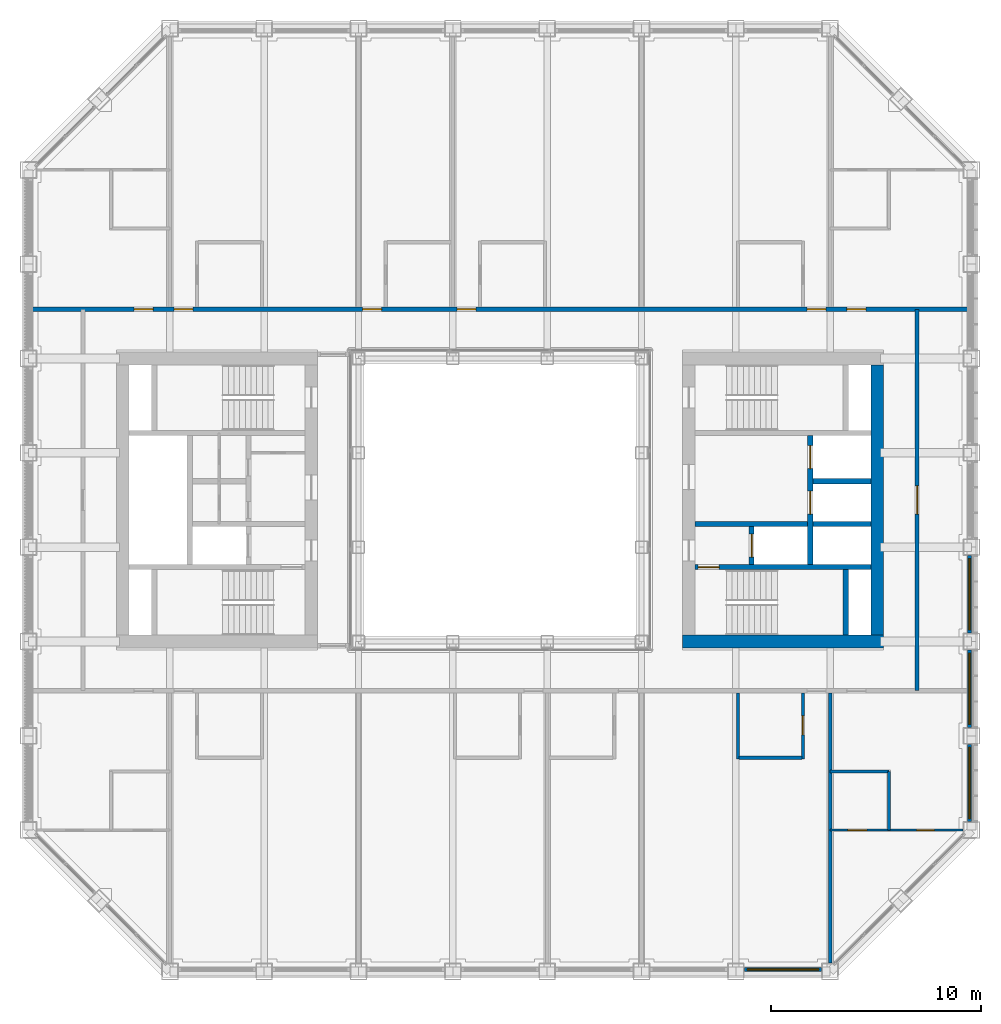
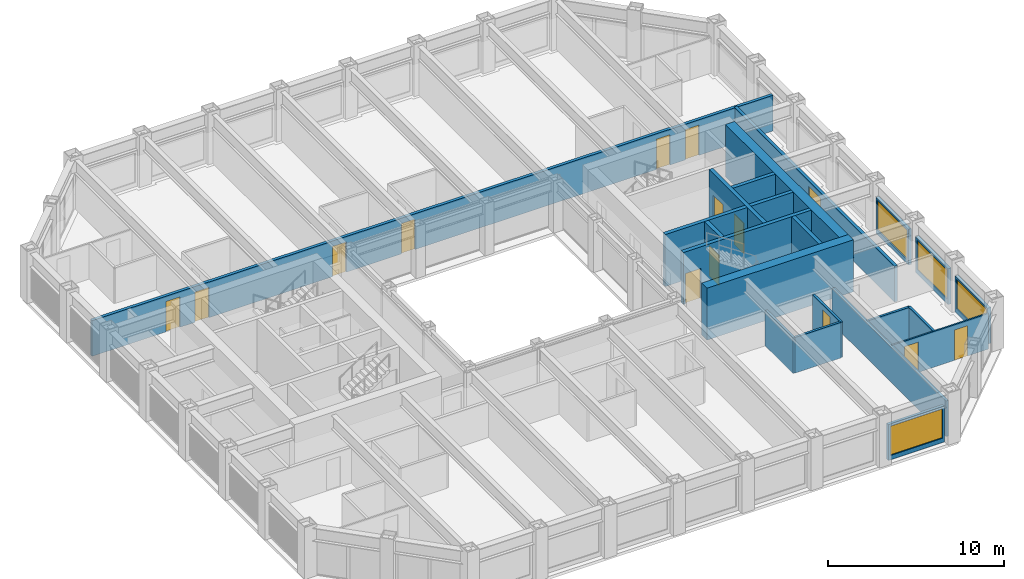
# One storey, part 12 of 17: 22 walls, 14 doors, 4 windows, 18 openings.
"""IFC4 building model written with IfcOpenShell, lengths in metres."""

from ifc_helpers import new_model, si_unit, direction, frame, frame_2d, origin, place, context, subcontext, project, spatial, rectangle, extrude, material, layer, layer_set, type_object, element, fill, save


model = new_model("IFC4")

# Units and contexts
model_context = context("Model", 3, precision=1e-05, world=origin(), true_north=direction((0.0, 1.0)))
body_context = subcontext(model_context, "Body", "Model", "MODEL_VIEW")
ifc_project = project(units=[si_unit("LENGTHUNIT", "METRE"), si_unit("AREAUNIT", "SQUARE_METRE"), si_unit("VOLUMEUNIT", "CUBIC_METRE"), si_unit("PLANEANGLEUNIT", "RADIAN"), si_unit("MASSUNIT", "GRAM", prefix="KILO")], contexts=[model_context])

# Site, building, storey
site_placement = place(None, origin())
site = spatial("IfcSite", under=ifc_project, at=site_placement, CompositionType="ELEMENT")
building_placement = place(site_placement, origin())
building = spatial("IfcBuilding", under=site, at=building_placement, Name="Msasa Ring Tower", CompositionType="ELEMENT")
storey_placement = place(building_placement, frame((0.0, 0.0, 168.800048828125)))
storey = spatial("IfcBuildingStorey", under=building, at=storey_placement, Name="L44", CompositionType="ELEMENT", Elevation=168.800048828125)

# Walls
ifc_material_1 = material(Name="Concrete C60/75", Category="concrete")
ifc_layer_1 = layer(ifc_material_1, 0.60009765625)
ifc_layer_set_1 = layer_set([ifc_layer_1], Name="CW2 CORE WALL 600")
wall_type_1 = type_object("IfcWallType", Name="CW2 CORE WALL 600", PredefinedType="SHEAR", material=ifc_layer_set_1)
wall_1_placement = place(storey_placement, frame((8.699951171875, -6.75, 0.0), z_axis=(0.0, 0.0, 1.0), x_axis=(1.0, 0.0, 0.0)))
element("IfcWall", 1, at=wall_1_placement, inside=storey, type_object=wall_type_1, Name="E core wall S L44", PredefinedType="SHEAR", context=body_context, shape_type="SweptSolid", body=[
    extrude(rectangle(XDim=9.60009765625, YDim=0.60009765625, at=frame_2d((4.800048828125, 0.0))), origin(), (0.0, 0.0, 1.0), 3.599853515625),
])
wall_2_placement = place(storey_placement, frame((18.0, -6.449951171875, 0.0), z_axis=(0.0, 0.0, 1.0), x_axis=(0.0, 1.0, 0.0)))
element("IfcWall", 2, at=wall_2_placement, inside=storey, type_object=wall_type_1, Name="E core wall E L44", PredefinedType="SHEAR", context=body_context, shape_type="SweptSolid", body=[
    extrude(rectangle(XDim=12.89990234375, YDim=0.60009765625, at=frame_2d((6.449951171875, 0.0))), origin(), (0.0, 0.0, 1.0), 3.599853515625),
])

# Wall, opening, door
ifc_material_2 = material(Name="Concrete C60/75", Category="concrete")
ifc_layer_2 = layer(ifc_material_2, 0.25)
ifc_layer_set_2 = layer_set([ifc_layer_2], Name="CW4 CORE INNER WALL 250")
wall_type_2 = type_object("IfcWallType", Name="CW4 CORE INNER WALL 250", PredefinedType="SHEAR", material=ifc_layer_set_2)
wall_3_placement = place(storey_placement, frame((9.300048828125, -3.199951171875, 0.0), z_axis=(0.0, 0.0, 1.0), x_axis=(1.0, 0.0, 0.0)))
wall_3 = element("IfcWall", 3, at=wall_3_placement, inside=storey, type_object=wall_type_2, Name="E core wall STAIRA L44", PredefinedType="SHEAR", context=body_context, shape_type="SweptSolid", body=[
    extrude(rectangle(XDim=8.39990234375, YDim=0.25, at=frame_2d((4.199951171875, 0.0))), origin(), (0.0, 0.0, 1.0), 3.599853515625),
])
opening_1_placement = place(wall_3_placement, frame((0.14990234375, 0.0, 0.0)))
opening_1 = element("IfcOpeningElement", 4, at=opening_1_placement, cuts=wall_3, Name="Opening HE-030", PredefinedType="OPENING", context=body_context, shape_type="SweptSolid", body=[
    extrude(rectangle(XDim=1.0, YDim=2.10009765625, at=frame_2d((0.5, 1.050048828125))), frame((0.0, 0.135009765625, 0.0), z_axis=(0.0, -1.0, 0.0), x_axis=(1.0, 0.0, 0.0)), (0.0, 0.0, 1.0), 0.27001953125),
])
ifc_material_3 = material(Name="Timber door leaf in a steel frame", Category="steel")
door_type_1 = type_object("IfcDoorType", Name="D6 STAIR DOOR 1000x2100", OperationType="SINGLE_SWING_LEFT", PredefinedType="DOOR", material=ifc_material_3)
door_1_placement = place(opening_1_placement, origin())
door_1 = element("IfcDoor", 5, at=door_1_placement, inside=storey, type_object=door_type_1, Name="Door L44-ESTA", OperationType="SINGLE_SWING_LEFT", OverallHeight=2.10009765625, OverallWidth=1.0, PredefinedType="DOOR", context=body_context, shape_type="SweptSolid", body=[
    extrude(rectangle(XDim=1.0, YDim=2.10009765625, at=frame_2d((0.5, 1.050048828125))), frame((0.0, 0.02490234375, 0.0), z_axis=(0.0, -1.0, 0.0), x_axis=(1.0, 0.0, 0.0)), (0.0, 0.0, 1.0), 0.050048828125),
])
fill(opening_1, door_1)

# Walls
wall_4_placement = place(storey_placement, frame((16.5, -6.449951171875, 0.0), z_axis=(0.0, 0.0, 1.0), x_axis=(0.0, 1.0, 0.0)))
element("IfcWall", 6, at=wall_4_placement, inside=storey, type_object=wall_type_2, Name="E core wall RISERA L44", PredefinedType="SHEAR", context=body_context, shape_type="SweptSolid", body=[
    extrude(rectangle(XDim=3.125, YDim=0.25, at=frame_2d((1.5625, 0.0))), origin(), (0.0, 0.0, 1.0), 3.599853515625),
])
wall_5_placement = place(storey_placement, frame((9.300048828125, -1.14990234375, 0.0), z_axis=(0.0, 0.0, 1.0), x_axis=(1.0, 0.0, 0.0)))
element("IfcWall", 7, at=wall_5_placement, inside=storey, type_object=wall_type_2, Name="E core wall FFL L44", PredefinedType="SHEAR", context=body_context, shape_type="SweptSolid", body=[
    extrude(rectangle(XDim=5.375, YDim=0.25, at=frame_2d((2.6875, 0.0))), origin(), (0.0, 0.0, 1.0), 3.599853515625),
])

# Wall, opening, door
wall_6_placement = place(storey_placement, frame((12.0, -3.074951171875, 0.0), z_axis=(0.0, 0.0, 1.0), x_axis=(0.0, 1.0, 0.0)))
wall_6 = element("IfcWall", 8, at=wall_6_placement, inside=storey, type_object=wall_type_2, Name="E core wall LOBBY L44", PredefinedType="SHEAR", context=body_context, shape_type="SweptSolid", body=[
    extrude(rectangle(XDim=1.800048828125, YDim=0.25, at=frame_2d((0.89990234375, 0.0))), origin(), (0.0, 0.0, 1.0), 3.599853515625),
])
opening_2_placement = place(wall_6_placement, frame((0.35009765625, 0.0, 0.0)))
opening_2 = element("IfcOpeningElement", 9, at=opening_2_placement, cuts=wall_6, Name="Opening LD1", PredefinedType="OPENING", context=body_context, shape_type="SweptSolid", body=[
    extrude(rectangle(XDim=1.10009765625, YDim=2.10009765625, at=frame_2d((0.550048828125, 1.050048828125))), frame((0.0, 0.135009765625, 0.0), z_axis=(0.0, -1.0, 0.0), x_axis=(1.0, 0.0, 0.0)), (0.0, 0.0, 1.0), 0.27001953125),
])
ifc_material_4 = material(Name="Stainless steel lift landing door", Category="steel")
door_type_2 = type_object("IfcDoorType", Name="LD1 LIFT LANDING DOOR 1100x2100", OperationType="DOUBLE_DOOR_SLIDING", PredefinedType="DOOR", material=ifc_material_4)
door_2_placement = place(opening_2_placement, origin())
door_2 = element("IfcDoor", 10, at=door_2_placement, inside=storey, type_object=door_type_2, Name="Lift landing door FL-E L44", OperationType="DOUBLE_DOOR_SLIDING", OverallHeight=2.10009765625, OverallWidth=1.10009765625, PredefinedType="DOOR", context=body_context, shape_type="SweptSolid", body=[
    extrude(rectangle(XDim=1.10009765625, YDim=2.10009765625, at=frame_2d((0.550048828125, 1.050048828125))), frame((0.0, 0.02490234375, 0.0), z_axis=(0.0, -1.0, 0.0), x_axis=(1.0, 0.0, 0.0)), (0.0, 0.0, 1.0), 0.050048828125),
])
fill(opening_2, door_2)

# Wall, openings, doors
wall_7_placement = place(storey_placement, frame((14.800048828125, -3.074951171875, 0.0), z_axis=(0.0, 0.0, 1.0), x_axis=(0.0, 1.0, 0.0)))
wall_7 = element("IfcWall", 11, at=wall_7_placement, inside=storey, type_object=wall_type_2, Name="E core wall SHAFT L44", PredefinedType="SHEAR", context=body_context, shape_type="SweptSolid", body=[
    extrude(rectangle(XDim=6.14990234375, YDim=0.25, at=frame_2d((3.074951171875, 0.0))), origin(), (0.0, 0.0, 1.0), 3.599853515625),
])
opening_3_placement = place(wall_7_placement, frame((2.39990234375, 0.0, 0.0)))
opening_3 = element("IfcOpeningElement", 12, at=opening_3_placement, cuts=wall_7, Name="Opening LD1", PredefinedType="OPENING", context=body_context, shape_type="SweptSolid", body=[
    extrude(rectangle(XDim=1.10009765625, YDim=2.10009765625, at=frame_2d((0.550048828125, 1.050048828125))), frame((0.0, 0.135009765625, 0.0), z_axis=(0.0, -1.0, 0.0), x_axis=(1.0, 0.0, 0.0)), (0.0, 0.0, 1.0), 0.27001953125),
])
opening_4_placement = place(wall_7_placement, frame((4.574951171875, 0.0, 0.0)))
opening_4 = element("IfcOpeningElement", 13, at=opening_4_placement, cuts=wall_7, Name="Opening LD1", PredefinedType="OPENING", context=body_context, shape_type="SweptSolid", body=[
    extrude(rectangle(XDim=1.10009765625, YDim=2.10009765625, at=frame_2d((0.550048828125, 1.050048828125))), frame((0.0, 0.135009765625, 0.0), z_axis=(0.0, -1.0, 0.0), x_axis=(1.0, 0.0, 0.0)), (0.0, 0.0, 1.0), 0.27001953125),
])
door_3_placement = place(opening_3_placement, origin())
door_3 = element("IfcDoor", 14, at=door_3_placement, inside=storey, type_object=door_type_2, Name="Lift landing door PL-H1 L44", OperationType="DOUBLE_DOOR_SLIDING", OverallHeight=2.10009765625, OverallWidth=1.10009765625, PredefinedType="DOOR", context=body_context, shape_type="SweptSolid", body=[
    extrude(rectangle(XDim=1.10009765625, YDim=2.10009765625, at=frame_2d((0.550048828125, 1.050048828125))), frame((0.0, 0.02490234375, 0.0), z_axis=(0.0, -1.0, 0.0), x_axis=(1.0, 0.0, 0.0)), (0.0, 0.0, 1.0), 0.050048828125),
])
fill(opening_3, door_3)
door_4_placement = place(opening_4_placement, origin())
door_4 = element("IfcDoor", 15, at=door_4_placement, inside=storey, type_object=door_type_2, Name="Lift landing door PL-H2 L44", OperationType="DOUBLE_DOOR_SLIDING", OverallHeight=2.10009765625, OverallWidth=1.10009765625, PredefinedType="DOOR", context=body_context, shape_type="SweptSolid", body=[
    extrude(rectangle(XDim=1.10009765625, YDim=2.10009765625, at=frame_2d((0.550048828125, 1.050048828125))), frame((0.0, 0.02490234375, 0.0), z_axis=(0.0, -1.0, 0.0), x_axis=(1.0, 0.0, 0.0)), (0.0, 0.0, 1.0), 0.050048828125),
])
fill(opening_4, door_4)

# Walls
for number, where, z_axis, x_axis, name in (
    (16, (14.925048828125, -1.14990234375, 0.0), (0.0, 0.0, 1.0), (1.0, 0.0, 0.0), "E core wall HSEP L44"),
    (17, (14.925048828125, 0.89990234375, 0.0), (0.0, 0.0, 1.0), (1.0, 0.0, 0.0), "E core wall HLIFT L44"),
):
    element("IfcWall", number, at=place(storey_placement, frame(where, z_axis=z_axis, x_axis=x_axis)), inside=storey, type_object=wall_type_2, Name=name, PredefinedType="SHEAR", context=body_context, shape_type="SweptSolid", body=[
        extrude(rectangle(XDim=2.77490234375, YDim=0.25, at=frame_2d((1.387451171875, 0.0))), origin(), (0.0, 0.0, 1.0), 3.599853515625),
    ])

# Wall, opening, window
ifc_material_5 = material(Name="Terracotta rainscreen on blockwork", Category="masonry")
ifc_layer_3 = layer(ifc_material_5, 0.199951171875)
ifc_layer_set_3 = layer_set([ifc_layer_3], Name="FW1 TERRACOTTA-LINED INFILL BAY WALL 200")
wall_type_3 = type_object("IfcWallType", Name="FW1 TERRACOTTA-LINED INFILL BAY WALL 200", PredefinedType="SOLIDWALL", material=ifc_layer_set_3)
wall_8_placement = place(storey_placement, frame((11.655029296875, -22.39990234375, 0.0), z_axis=(0.0, 0.0, 1.0), x_axis=(1.0, 0.0, 0.0)))
wall_8 = element("IfcWall", 18, at=wall_8_placement, inside=storey, type_object=wall_type_3, Name="Infill bay wall S L44 06", PredefinedType="SOLIDWALL", context=body_context, shape_type="SweptSolid", body=[
    extrude(rectangle(XDim=3.68994140625, YDim=0.199951171875, at=frame_2d((1.844970703125, 0.0))), origin(), (0.0, 0.0, 1.0), 2.47900390625),
])
opening_5_placement = place(wall_8_placement, frame((0.14501953125, 0.0, 0.300048828125)))
opening_5 = element("IfcOpeningElement", 19, at=opening_5_placement, cuts=wall_8, Name="Opening WN2", PredefinedType="OPENING", context=body_context, shape_type="SweptSolid", body=[
    extrude(rectangle(XDim=3.39990234375, YDim=2.029052734375, at=frame_2d((1.699951171875, 1.0146484375))), frame((0.0, 0.10986328125, 0.0), z_axis=(0.0, -1.0, 0.0), x_axis=(1.0, 0.0, 0.0)), (0.0, 0.0, 1.0), 0.219970703125),
])
ifc_material_6 = material(Name="Aluminium frame with clear glass", Category="aluminium")
window_type = type_object("IfcWindowType", Name="WN2 GUEST ROOM WINDOW 3400x2029", PartitioningType="SINGLE_PANEL", PredefinedType="WINDOW", material=ifc_material_6)
window_1_placement = place(opening_5_placement, origin())
window_1 = element("IfcWindow", 20, at=window_1_placement, inside=storey, type_object=window_type, Name="Window S L44 06", OverallHeight=2.029052734375, OverallWidth=3.39990234375, PartitioningType="SINGLE_PANEL", PredefinedType="WINDOW", context=body_context, shape_type="SweptSolid", body=[
    extrude(rectangle(XDim=3.39990234375, YDim=2.029052734375, at=frame_2d((1.699951171875, 1.0146484375))), frame((0.0, 0.030029296875, 0.0), z_axis=(0.0, -1.0, 0.0), x_axis=(1.0, 0.0, 0.0)), (0.0, 0.0, 1.0), 0.06005859375),
])
fill(opening_5, window_1)

wall_9_placement = place(storey_placement, frame((22.39990234375, -15.344970703125, 0.0), z_axis=(0.0, 0.0, 1.0), x_axis=(0.0, 1.0, 0.0)))
wall_9 = element("IfcWall", 21, at=wall_9_placement, inside=storey, type_object=wall_type_3, Name="Infill bay wall E L44 09", PredefinedType="SOLIDWALL", context=body_context, shape_type="SweptSolid", body=[
    extrude(rectangle(XDim=3.68994140625, YDim=0.199951171875, at=frame_2d((1.844970703125, 0.0))), origin(), (0.0, 0.0, 1.0), 2.47900390625),
])
opening_6_placement = place(wall_9_placement, frame((0.14501953125, 0.0, 0.300048828125)))
opening_6 = element("IfcOpeningElement", 22, at=opening_6_placement, cuts=wall_9, Name="Opening WN2", PredefinedType="OPENING", context=body_context, shape_type="SweptSolid", body=[
    extrude(rectangle(XDim=3.39990234375, YDim=2.029052734375, at=frame_2d((1.699951171875, 1.0146484375))), frame((0.0, 0.10986328125, 0.0), z_axis=(0.0, -1.0, 0.0), x_axis=(1.0, 0.0, 0.0)), (0.0, 0.0, 1.0), 0.219970703125),
])
window_2_placement = place(opening_6_placement, origin())
window_2 = element("IfcWindow", 23, at=window_2_placement, inside=storey, type_object=window_type, Name="Window E L44 09", OverallHeight=2.029052734375, OverallWidth=3.39990234375, PartitioningType="SINGLE_PANEL", PredefinedType="WINDOW", context=body_context, shape_type="SweptSolid", body=[
    extrude(rectangle(XDim=3.39990234375, YDim=2.029052734375, at=frame_2d((1.699951171875, 1.0146484375))), frame((0.0, 0.030029296875, 0.0), z_axis=(0.0, -1.0, 0.0), x_axis=(1.0, 0.0, 0.0)), (0.0, 0.0, 1.0), 0.06005859375),
])
fill(opening_6, window_2)

wall_10_placement = place(storey_placement, frame((22.39990234375, -10.844970703125, 0.0), z_axis=(0.0, 0.0, 1.0), x_axis=(0.0, 1.0, 0.0)))
wall_10 = element("IfcWall", 24, at=wall_10_placement, inside=storey, type_object=wall_type_3, Name="Infill bay wall E L44 10", PredefinedType="SOLIDWALL", context=body_context, shape_type="SweptSolid", body=[
    extrude(rectangle(XDim=3.68994140625, YDim=0.199951171875, at=frame_2d((1.844970703125, 0.0))), origin(), (0.0, 0.0, 1.0), 2.47900390625),
])
opening_7_placement = place(wall_10_placement, frame((0.14501953125, 0.0, 0.300048828125)))
opening_7 = element("IfcOpeningElement", 25, at=opening_7_placement, cuts=wall_10, Name="Opening WN2", PredefinedType="OPENING", context=body_context, shape_type="SweptSolid", body=[
    extrude(rectangle(XDim=3.39990234375, YDim=2.029052734375, at=frame_2d((1.699951171875, 1.0146484375))), frame((0.0, 0.10986328125, 0.0), z_axis=(0.0, -1.0, 0.0), x_axis=(1.0, 0.0, 0.0)), (0.0, 0.0, 1.0), 0.219970703125),
])
window_3_placement = place(opening_7_placement, origin())
window_3 = element("IfcWindow", 26, at=window_3_placement, inside=storey, type_object=window_type, Name="Window E L44 10", OverallHeight=2.029052734375, OverallWidth=3.39990234375, PartitioningType="SINGLE_PANEL", PredefinedType="WINDOW", context=body_context, shape_type="SweptSolid", body=[
    extrude(rectangle(XDim=3.39990234375, YDim=2.029052734375, at=frame_2d((1.699951171875, 1.0146484375))), frame((0.0, 0.030029296875, 0.0), z_axis=(0.0, -1.0, 0.0), x_axis=(1.0, 0.0, 0.0)), (0.0, 0.0, 1.0), 0.06005859375),
])
fill(opening_7, window_3)

wall_11_placement = place(storey_placement, frame((22.39990234375, -6.344970703125, 0.0), z_axis=(0.0, 0.0, 1.0), x_axis=(0.0, 1.0, 0.0)))
wall_11 = element("IfcWall", 27, at=wall_11_placement, inside=storey, type_object=wall_type_3, Name="Infill bay wall E L44 11", PredefinedType="SOLIDWALL", context=body_context, shape_type="SweptSolid", body=[
    extrude(rectangle(XDim=3.68994140625, YDim=0.199951171875, at=frame_2d((1.844970703125, 0.0))), origin(), (0.0, 0.0, 1.0), 2.47900390625),
])
opening_8_placement = place(wall_11_placement, frame((0.14501953125, 0.0, 0.300048828125)))
opening_8 = element("IfcOpeningElement", 28, at=opening_8_placement, cuts=wall_11, Name="Opening WN2", PredefinedType="OPENING", context=body_context, shape_type="SweptSolid", body=[
    extrude(rectangle(XDim=3.39990234375, YDim=2.029052734375, at=frame_2d((1.699951171875, 1.0146484375))), frame((0.0, 0.10986328125, 0.0), z_axis=(0.0, -1.0, 0.0), x_axis=(1.0, 0.0, 0.0)), (0.0, 0.0, 1.0), 0.219970703125),
])
window_4_placement = place(opening_8_placement, origin())
window_4 = element("IfcWindow", 29, at=window_4_placement, inside=storey, type_object=window_type, Name="Window E L44 11", OverallHeight=2.029052734375, OverallWidth=3.39990234375, PartitioningType="SINGLE_PANEL", PredefinedType="WINDOW", context=body_context, shape_type="SweptSolid", body=[
    extrude(rectangle(XDim=3.39990234375, YDim=2.029052734375, at=frame_2d((1.699951171875, 1.0146484375))), frame((0.0, 0.030029296875, 0.0), z_axis=(0.0, -1.0, 0.0), x_axis=(1.0, 0.0, 0.0)), (0.0, 0.0, 1.0), 0.06005859375),
])
fill(opening_8, window_4)

# Wall, openings, doors
ifc_material_7 = material(Name="Concrete blockwork", Category="masonry")
ifc_layer_4 = layer(ifc_material_7, 0.199951171875)
ifc_layer_set_4 = layer_set([ifc_layer_4], Name="PT1 CORRIDOR WALL 200")
wall_type_4 = type_object("IfcWallType", Name="PT1 CORRIDOR WALL 200", PredefinedType="PARTITIONING", material=ifc_layer_set_4)
wall_12_placement = place(storey_placement, frame((-22.300048828125, 9.10009765625, 0.0), z_axis=(0.0, 0.0, 1.0), x_axis=(1.0, 0.0, 0.0)))
wall_12 = element("IfcWall", 30, at=wall_12_placement, inside=storey, type_object=wall_type_4, Name="Corridor wall L44-CORRN0", PredefinedType="PARTITIONING", context=body_context, shape_type="SweptSolid", body=[
    extrude(rectangle(XDim=44.60009765625, YDim=0.199951171875, at=frame_2d((22.300048828125, 0.0))), origin(), (0.0, 0.0, 1.0), 2.473388671875),
])
opening_9_placement = place(wall_12_placement, frame((6.75, 0.0, 0.0)))
opening_9 = element("IfcOpeningElement", 31, at=opening_9_placement, cuts=wall_12, Name="Opening HE-010", PredefinedType="OPENING", context=body_context, shape_type="SweptSolid", body=[
    extrude(rectangle(XDim=0.89990234375, YDim=2.10009765625, at=frame_2d((0.449951171875, 1.050048828125))), frame((0.0, 0.10986328125, 0.0), z_axis=(0.0, -1.0, 0.0), x_axis=(1.0, 0.0, 0.0)), (0.0, 0.0, 1.0), 0.219970703125),
])
opening_10_placement = place(wall_12_placement, frame((15.75, 0.0, 0.0)))
opening_10 = element("IfcOpeningElement", 32, at=opening_10_placement, cuts=wall_12, Name="Opening HE-011", PredefinedType="OPENING", context=body_context, shape_type="SweptSolid", body=[
    extrude(rectangle(XDim=0.89990234375, YDim=2.10009765625, at=frame_2d((0.449951171875, 1.050048828125))), frame((0.0, 0.10986328125, 0.0), z_axis=(0.0, -1.0, 0.0), x_axis=(1.0, 0.0, 0.0)), (0.0, 0.0, 1.0), 0.219970703125),
])
opening_11_placement = place(wall_12_placement, frame((20.25, 0.0, 0.0)))
opening_11 = element("IfcOpeningElement", 33, at=opening_11_placement, cuts=wall_12, Name="Opening HE-012", PredefinedType="OPENING", context=body_context, shape_type="SweptSolid", body=[
    extrude(rectangle(XDim=0.89990234375, YDim=2.10009765625, at=frame_2d((0.449951171875, 1.050048828125))), frame((0.0, 0.10986328125, 0.0), z_axis=(0.0, -1.0, 0.0), x_axis=(1.0, 0.0, 0.0)), (0.0, 0.0, 1.0), 0.219970703125),
])
opening_12_placement = place(wall_12_placement, frame((36.949951171875, 0.0, 0.0)))
opening_12 = element("IfcOpeningElement", 34, at=opening_12_placement, cuts=wall_12, Name="Opening HE-013", PredefinedType="OPENING", context=body_context, shape_type="SweptSolid", body=[
    extrude(rectangle(XDim=0.89990234375, YDim=2.10009765625, at=frame_2d((0.449951171875, 1.050048828125))), frame((0.0, 0.10986328125, 0.0), z_axis=(0.0, -1.0, 0.0), x_axis=(1.0, 0.0, 0.0)), (0.0, 0.0, 1.0), 0.219970703125),
])
opening_13_placement = place(wall_12_placement, frame((38.85009765625, 0.0, 0.0)))
opening_13 = element("IfcOpeningElement", 35, at=opening_13_placement, cuts=wall_12, Name="Opening HE-014", PredefinedType="OPENING", context=body_context, shape_type="SweptSolid", body=[
    extrude(rectangle(XDim=0.89990234375, YDim=2.10009765625, at=frame_2d((0.449951171875, 1.050048828125))), frame((0.0, 0.10986328125, 0.0), z_axis=(0.0, -1.0, 0.0), x_axis=(1.0, 0.0, 0.0)), (0.0, 0.0, 1.0), 0.219970703125),
])
opening_14_placement = place(wall_12_placement, frame((4.85009765625, 0.0, 0.0)))
opening_14 = element("IfcOpeningElement", 36, at=opening_14_placement, cuts=wall_12, Name="Opening HE-009", PredefinedType="OPENING", context=body_context, shape_type="SweptSolid", body=[
    extrude(rectangle(XDim=0.89990234375, YDim=2.10009765625, at=frame_2d((0.449951171875, 1.050048828125))), frame((0.0, 0.10986328125, 0.0), z_axis=(0.0, -1.0, 0.0), x_axis=(1.0, 0.0, 0.0)), (0.0, 0.0, 1.0), 0.219970703125),
])
ifc_material_8 = material(Name="Timber door leaf in a steel frame", Category="steel")
door_type_3 = type_object("IfcDoorType", Name="D1 SINGLE DOOR TO CORRIDOR 900x2100", OperationType="SINGLE_SWING_LEFT", PredefinedType="DOOR", material=ifc_material_8)
door_5_placement = place(opening_9_placement, origin())
door_5 = element("IfcDoor", 37, at=door_5_placement, inside=storey, type_object=door_type_3, Name="Door L44-GN00", OperationType="SINGLE_SWING_LEFT", OverallHeight=2.10009765625, OverallWidth=0.89990234375, PredefinedType="DOOR", context=body_context, shape_type="SweptSolid", body=[
    extrude(rectangle(XDim=0.89990234375, YDim=2.10009765625, at=frame_2d((0.449951171875, 1.050048828125))), frame((0.0, 0.02490234375, 0.0), z_axis=(0.0, -1.0, 0.0), x_axis=(1.0, 0.0, 0.0)), (0.0, 0.0, 1.0), 0.050048828125),
])
fill(opening_9, door_5)
door_6_placement = place(opening_10_placement, origin())
door_6 = element("IfcDoor", 38, at=door_6_placement, inside=storey, type_object=door_type_3, Name="Door L44-GN01", OperationType="SINGLE_SWING_LEFT", OverallHeight=2.10009765625, OverallWidth=0.89990234375, PredefinedType="DOOR", context=body_context, shape_type="SweptSolid", body=[
    extrude(rectangle(XDim=0.89990234375, YDim=2.10009765625, at=frame_2d((0.449951171875, 1.050048828125))), frame((0.0, 0.02490234375, 0.0), z_axis=(0.0, -1.0, 0.0), x_axis=(1.0, 0.0, 0.0)), (0.0, 0.0, 1.0), 0.050048828125),
])
fill(opening_10, door_6)
door_7_placement = place(opening_11_placement, origin())
door_7 = element("IfcDoor", 39, at=door_7_placement, inside=storey, type_object=door_type_3, Name="Door L44-GN02", OperationType="SINGLE_SWING_LEFT", OverallHeight=2.10009765625, OverallWidth=0.89990234375, PredefinedType="DOOR", context=body_context, shape_type="SweptSolid", body=[
    extrude(rectangle(XDim=0.89990234375, YDim=2.10009765625, at=frame_2d((0.449951171875, 1.050048828125))), frame((0.0, 0.02490234375, 0.0), z_axis=(0.0, -1.0, 0.0), x_axis=(1.0, 0.0, 0.0)), (0.0, 0.0, 1.0), 0.050048828125),
])
fill(opening_11, door_7)
door_8_placement = place(opening_12_placement, origin())
door_8 = element("IfcDoor", 40, at=door_8_placement, inside=storey, type_object=door_type_3, Name="Door L44-GN03", OperationType="SINGLE_SWING_RIGHT", OverallHeight=2.10009765625, OverallWidth=0.89990234375, PredefinedType="DOOR", context=body_context, shape_type="SweptSolid", body=[
    extrude(rectangle(XDim=0.89990234375, YDim=2.10009765625, at=frame_2d((0.449951171875, 1.050048828125))), frame((0.0, 0.02490234375, 0.0), z_axis=(0.0, -1.0, 0.0), x_axis=(1.0, 0.0, 0.0)), (0.0, 0.0, 1.0), 0.050048828125),
])
fill(opening_12, door_8)
ifc_material_9 = material(Name="Timber door leaf in a steel frame", Category="steel")
door_type_4 = type_object("IfcDoorType", Name="D2 ENTRANCE DOOR 900x2100", OperationType="SINGLE_SWING_LEFT", PredefinedType="DOOR", material=ifc_material_9)
door_9_placement = place(opening_13_placement, origin())
door_9 = element("IfcDoor", 41, at=door_9_placement, inside=storey, type_object=door_type_4, Name="Door L44-CSNE", OperationType="SINGLE_SWING_RIGHT", OverallHeight=2.10009765625, OverallWidth=0.89990234375, PredefinedType="DOOR", context=body_context, shape_type="SweptSolid", body=[
    extrude(rectangle(XDim=0.89990234375, YDim=2.10009765625, at=frame_2d((0.449951171875, 1.050048828125))), frame((0.0, 0.02490234375, 0.0), z_axis=(0.0, -1.0, 0.0), x_axis=(1.0, 0.0, 0.0)), (0.0, 0.0, 1.0), 0.050048828125),
])
fill(opening_13, door_9)
door_10_placement = place(opening_14_placement, origin())
door_10 = element("IfcDoor", 42, at=door_10_placement, inside=storey, type_object=door_type_4, Name="Door L44-CSNW", OperationType="SINGLE_SWING_LEFT", OverallHeight=2.10009765625, OverallWidth=0.89990234375, PredefinedType="DOOR", context=body_context, shape_type="SweptSolid", body=[
    extrude(rectangle(XDim=0.89990234375, YDim=2.10009765625, at=frame_2d((0.449951171875, 1.050048828125))), frame((0.0, 0.02490234375, 0.0), z_axis=(0.0, -1.0, 0.0), x_axis=(1.0, 0.0, 0.0)), (0.0, 0.0, 1.0), 0.050048828125),
])
fill(opening_14, door_10)

# Wall, opening, door
wall_13_placement = place(storey_placement, frame((19.89990234375, -9.10009765625, 0.0), z_axis=(0.0, 0.0, 1.0), x_axis=(0.0, 1.0, 0.0)))
wall_13 = element("IfcWall", 43, at=wall_13_placement, inside=storey, type_object=wall_type_4, Name="Corridor wall L44-STRE", PredefinedType="PARTITIONING", context=body_context, shape_type="SweptSolid", body=[
    extrude(rectangle(XDim=18.2001953125, YDim=0.199951171875, at=frame_2d((9.10009765625, 0.0))), origin(), (0.0, 0.0, 1.0), 2.473388671875),
])
opening_15_placement = place(wall_13_placement, frame((8.425048828125, 0.0, 0.0)))
opening_15 = element("IfcOpeningElement", 44, at=opening_15_placement, cuts=wall_13, Name="Opening HE-024", PredefinedType="OPENING", context=body_context, shape_type="SweptSolid", body=[
    extrude(rectangle(XDim=1.35009765625, YDim=2.10009765625, at=frame_2d((0.675048828125, 1.050048828125))), frame((0.0, 0.10986328125, 0.0), z_axis=(0.0, -1.0, 0.0), x_axis=(1.0, 0.0, 0.0)), (0.0, 0.0, 1.0), 0.219970703125),
])
ifc_material_10 = material(Name="Timber door leaf in a steel frame", Category="steel")
door_type_5 = type_object("IfcDoorType", Name="D23 HOUSEKEEPING UNEQUAL PAIR OF DOORS 1350x2100", OperationType="SINGLE_SWING_LEFT", PredefinedType="DOOR", material=ifc_material_10)
door_11_placement = place(opening_15_placement, origin())
door_11 = element("IfcDoor", 45, at=door_11_placement, inside=storey, type_object=door_type_5, Name="Door L44-HKE", OperationType="SINGLE_SWING_LEFT", OverallHeight=2.10009765625, OverallWidth=1.35009765625, PredefinedType="DOOR", context=body_context, shape_type="SweptSolid", body=[
    extrude(rectangle(XDim=1.35009765625, YDim=2.10009765625, at=frame_2d((0.675048828125, 1.050048828125))), frame((0.0, 0.02490234375, 0.0), z_axis=(0.0, -1.0, 0.0), x_axis=(1.0, 0.0, 0.0)), (0.0, 0.0, 1.0), 0.050048828125),
])
fill(opening_15, door_11)

# Wall, openings, doors
ifc_material_11 = material(Name="Gypsum board on steel studs", Category="steel")
ifc_layer_5 = layer(ifc_material_11, 0.10009765625)
ifc_layer_set_5 = layer_set([ifc_layer_5], Name="PT2 STUD PARTITION 100")
wall_type_5 = type_object("IfcWallType", Name="PT2 STUD PARTITION 100", PredefinedType="PARTITIONING", material=ifc_layer_set_5)
wall_14_placement = place(storey_placement, frame((15.75, -15.75, 0.0), z_axis=(0.0, 0.0, 1.0), x_axis=(1.0, 0.0, 0.0)))
wall_14 = element("IfcWall", 46, at=wall_14_placement, inside=storey, type_object=wall_type_5, Name="Partition L44-CSSEX", PredefinedType="PARTITIONING", context=body_context, shape_type="SweptSolid", body=[
    extrude(rectangle(XDim=6.35009765625, YDim=0.10009765625, at=frame_2d((3.175048828125, 0.0))), origin(), (0.0, 0.0, 1.0), 2.473388671875),
])
opening_16_placement = place(wall_14_placement, frame((4.125, 0.0, 0.0)))
opening_16 = element("IfcOpeningElement", 47, at=opening_16_placement, cuts=wall_14, Name="Opening HE-045", PredefinedType="OPENING", context=body_context, shape_type="SweptSolid", body=[
    extrude(rectangle(XDim=0.85009765625, YDim=2.10009765625, at=frame_2d((0.425048828125, 1.050048828125))), frame((0.0, 0.06005859375, 0.0), z_axis=(0.0, -1.0, 0.0), x_axis=(1.0, 0.0, 0.0)), (0.0, 0.0, 1.0), 0.1201171875),
])
opening_17_placement = place(wall_14_placement, frame((0.85009765625, 0.0, 0.0)))
opening_17 = element("IfcOpeningElement", 48, at=opening_17_placement, cuts=wall_14, Name="Opening HE-044", PredefinedType="OPENING", context=body_context, shape_type="SweptSolid", body=[
    extrude(rectangle(XDim=0.89990234375, YDim=2.10009765625, at=frame_2d((0.449951171875, 1.050048828125))), frame((0.0, 0.06005859375, 0.0), z_axis=(0.0, -1.0, 0.0), x_axis=(1.0, 0.0, 0.0)), (0.0, 0.0, 1.0), 0.1201171875),
])
ifc_material_12 = material(Name="Timber door leaf in a steel frame", Category="steel")
door_type_6 = type_object("IfcDoorType", Name="D14 BEDROOM DOOR 850x2100", OperationType="SINGLE_SWING_LEFT", PredefinedType="DOOR", material=ifc_material_12)
door_12_placement = place(opening_16_placement, origin())
door_12 = element("IfcDoor", 49, at=door_12_placement, inside=storey, type_object=door_type_6, Name="Door L44-CSSER1", OperationType="SINGLE_SWING_RIGHT", OverallHeight=2.10009765625, OverallWidth=0.85009765625, PredefinedType="DOOR", context=body_context, shape_type="SweptSolid", body=[
    extrude(rectangle(XDim=0.85009765625, YDim=2.10009765625, at=frame_2d((0.425048828125, 1.050048828125))), frame((0.0, 0.02490234375, 0.0), z_axis=(0.0, -1.0, 0.0), x_axis=(1.0, 0.0, 0.0)), (0.0, 0.0, 1.0), 0.050048828125),
])
fill(opening_16, door_12)
ifc_material_13 = material(Name="Timber door leaf in a steel frame", Category="steel")
door_type_7 = type_object("IfcDoorType", Name="D3 BATHROOM DOOR 900x2100", OperationType="SINGLE_SWING_LEFT", PredefinedType="DOOR", material=ifc_material_13)
door_13_placement = place(opening_17_placement, origin())
door_13 = element("IfcDoor", 50, at=door_13_placement, inside=storey, type_object=door_type_7, Name="Door L44-CSSEB1", OperationType="SINGLE_SWING_LEFT", OverallHeight=2.10009765625, OverallWidth=0.89990234375, PredefinedType="DOOR", context=body_context, shape_type="SweptSolid", body=[
    extrude(rectangle(XDim=0.89990234375, YDim=2.10009765625, at=frame_2d((0.449951171875, 1.050048828125))), frame((0.0, 0.02490234375, 0.0), z_axis=(0.0, -1.0, 0.0), x_axis=(1.0, 0.0, 0.0)), (0.0, 0.0, 1.0), 0.050048828125),
])
fill(opening_17, door_13)

# Wall, opening, door
ifc_material_14 = material(Name="Moisture-resistant board on steel studs with a concealed cistern and pipe void, tiled", Category="steel")
ifc_layer_6 = layer(ifc_material_14, 0.14990234375)
ifc_layer_set_6 = layer_set([ifc_layer_6], Name="PT4 BATHROOM WET WALL 150")
wall_type_6 = type_object("IfcWallType", Name="PT4 BATHROOM WET WALL 150", PredefinedType="PARTITIONING", material=ifc_layer_set_6)
wall_15_placement = place(storey_placement, frame((14.449951171875, -12.35009765625, 0.0), z_axis=(0.0, 0.0, 1.0), x_axis=(0.0, 1.0, 0.0)))
wall_15 = element("IfcWall", 51, at=wall_15_placement, inside=storey, type_object=wall_type_6, Name="Partition L44-GS03BX", PredefinedType="PARTITIONING", context=body_context, shape_type="SweptSolid", body=[
    extrude(rectangle(XDim=3.150146484375, YDim=0.14990234375, at=frame_2d((1.5751953125, 0.0))), origin(), (0.0, 0.0, 1.0), 2.473388671875),
])
opening_18_placement = place(wall_15_placement, frame((1.14990234375, 0.0, 0.0)))
opening_18 = element("IfcOpeningElement", 52, at=opening_18_placement, cuts=wall_15, Name="Opening HE-041", PredefinedType="OPENING", context=body_context, shape_type="SweptSolid", body=[
    extrude(rectangle(XDim=0.89990234375, YDim=2.10009765625, at=frame_2d((0.449951171875, 1.050048828125))), frame((0.0, 0.0849609375, 0.0), z_axis=(0.0, -1.0, 0.0), x_axis=(1.0, 0.0, 0.0)), (0.0, 0.0, 1.0), 0.169921875),
])
door_14_placement = place(opening_18_placement, origin())
door_14 = element("IfcDoor", 53, at=door_14_placement, inside=storey, type_object=door_type_7, Name="Door L44-GS03B", OperationType="SINGLE_SWING_LEFT", OverallHeight=2.10009765625, OverallWidth=0.89990234375, PredefinedType="DOOR", context=body_context, shape_type="SweptSolid", body=[
    extrude(rectangle(XDim=0.89990234375, YDim=2.10009765625, at=frame_2d((0.449951171875, 1.050048828125))), frame((0.0, 0.02490234375, 0.0), z_axis=(0.0, -1.0, 0.0), x_axis=(1.0, 0.0, 0.0)), (0.0, 0.0, 1.0), 0.050048828125),
])
fill(opening_18, door_14)

# Walls
wall_16_placement = place(storey_placement, frame((11.35009765625, -12.35009765625, 0.0), z_axis=(0.0, 0.0, 1.0), x_axis=(0.0, 1.0, 0.0)))
element("IfcWall", 54, at=wall_16_placement, inside=storey, type_object=wall_type_6, Name="Partition L44-GS03BF", PredefinedType="PARTITIONING", context=body_context, shape_type="SweptSolid", body=[
    extrude(rectangle(XDim=3.150146484375, YDim=0.14990234375, at=frame_2d((1.5751953125, 0.0))), origin(), (0.0, 0.0, 1.0), 2.473388671875),
])
wall_17_placement = place(storey_placement, frame((11.39990234375, -12.300048828125, 0.0), z_axis=(0.0, 0.0, 1.0), x_axis=(1.0, 0.0, 0.0)))
element("IfcWall", 55, at=wall_17_placement, inside=storey, type_object=wall_type_6, Name="Partition L44-GS03BY", PredefinedType="PARTITIONING", context=body_context, shape_type="SweptSolid", body=[
    extrude(rectangle(XDim=3.0, YDim=0.14990234375, at=frame_2d((1.5, 0.0))), origin(), (0.0, 0.0, 1.0), 2.473388671875),
])
for number, where, z_axis, x_axis, name in (
    (56, (18.550048828125, -15.75, 0.0), (0.0, 0.0, 1.0), (0.0, 1.0, 0.0), "Partition L44-CSSEBX"),
    (57, (15.75, -12.949951171875, 0.0), (0.0, 0.0, 1.0), (1.0, 0.0, 0.0), "Partition L44-CSSEBY"),
):
    element("IfcWall", number, at=place(storey_placement, frame(where, z_axis=z_axis, x_axis=x_axis)), inside=storey, type_object=wall_type_6, Name=name, PredefinedType="PARTITIONING", context=body_context, shape_type="SweptSolid", body=[
        extrude(rectangle(XDim=2.800048828125, YDim=0.14990234375, at=frame_2d((1.39990234375, 0.0))), origin(), (0.0, 0.0, 1.0), 2.473388671875),
    ])
ifc_material_15 = material(Name="Twin steel studs, two layers of acoustic board each face, mineral wool", Category="steel")
ifc_layer_7 = layer(ifc_material_15, 0.175048828125)
ifc_layer_set_7 = layer_set([ifc_layer_7], Name="PT5 GUEST ROOM SEPARATING WALL 175")
wall_type_7 = type_object("IfcWallType", Name="PT5 GUEST ROOM SEPARATING WALL 175", PredefinedType="PARTITIONING", material=ifc_layer_set_7)
wall_18_placement = place(storey_placement, frame((15.75, -22.10009765625, 0.0), z_axis=(0.0, 0.0, 1.0), x_axis=(0.0, 1.0, 0.0)))
element("IfcWall", 58, at=wall_18_placement, inside=storey, type_object=wall_type_7, Name="Partition L44-PWS+15.75", PredefinedType="PARTITIONING", context=body_context, shape_type="SweptSolid", body=[
    extrude(rectangle(XDim=12.900146484375, YDim=0.175048828125, at=frame_2d((6.4501953125, 0.0))), origin(), (0.0, 0.0, 1.0), 2.473388671875),
])

save(model, "model.ifc")
